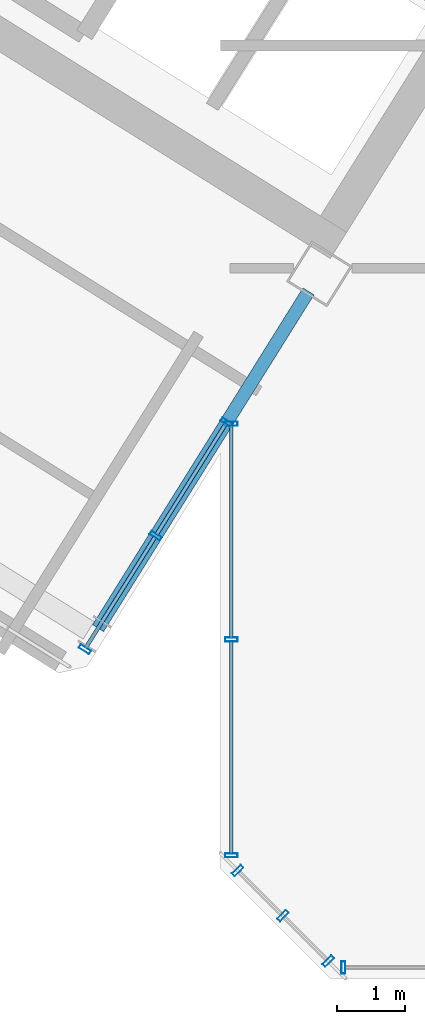
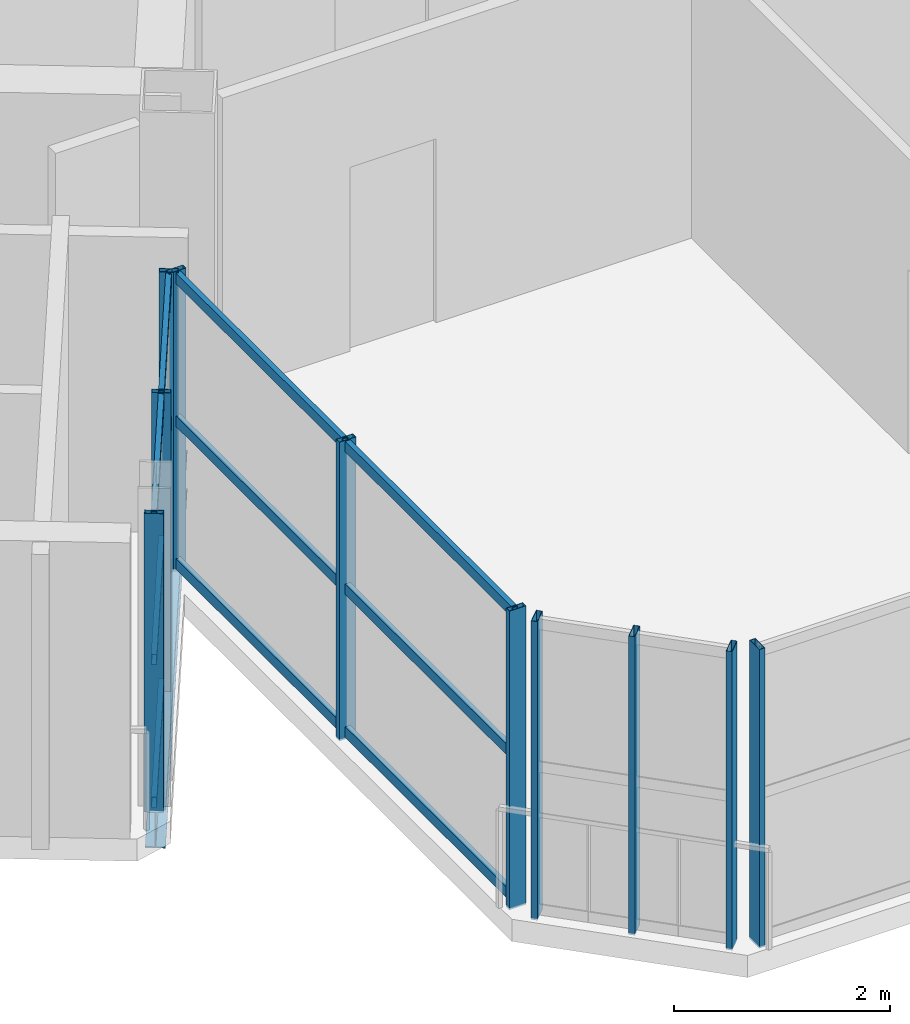
# One storey, part 3 of 17: 22 members, 1 beam, 4 elements without a shape of their own.
"""IFC4 building model written with IfcOpenShell, lengths in metres."""

import ifcopenshell
import ifcopenshell.guid

model = None  # the IFC model being written
_history = None  # IfcOwnerHistory: only IFC2X3 demands one
_inside = {}  # id of a spatial element -> (the spatial element, [elements in it])
_under = {}  # id of a project, library or spatial element -> (it, [spatial elements below it])
_declared = {}  # id of a project -> (the project, [libraries it declares])
_typed = {}  # id of a type object -> (the type object, [elements of that type])
_made_of = {}  # id of a material, layer set ... -> (it, [elements and type objects made of it])


def new_model(schema):
    """Start an empty IFC model of exactly this schema.

    Asked for "IFC4X3", IfcOpenShell would pick the latest addendum, in which some entities
    have other attributes; the version numbers below select the first issue.
    IFC2X3 requires an IfcOwnerHistory on every rooted entity: one is made here for all.
    """
    global model, _history
    if schema == "IFC4X3":
        model = ifcopenshell.file(schema_version=(4, 3, 0, 0))
    else:
        model = ifcopenshell.file(schema=schema)
    _inside.clear()
    _under.clear()
    _declared.clear()
    _typed.clear()
    _made_of.clear()
    _history = None
    if model.schema == "IFC2X3":
        org = make("IfcOrganization", Name="unknown")
        user = make(
            "IfcPersonAndOrganization",
            ThePerson=make("IfcPerson", FamilyName="unknown"),
            TheOrganization=org,
        )
        app = make(
            "IfcApplication",
            ApplicationDeveloper=org,
            Version="unknown",
            ApplicationFullName="unknown",
            ApplicationIdentifier="unknown",
        )
        _history = make(
            "IfcOwnerHistory",
            OwningUser=user,
            OwningApplication=app,
            ChangeAction="ADDED",
            CreationDate=0,
        )
    return model


def make(cls, **values):
    """One entity of the class cls with the attributes given. An attribute that is None is left unset."""
    return model.create_entity(
        cls, **{name: value for name, value in values.items() if value is not None}
    )


def rooted(cls, **values):
    """An entity with a GlobalId (a new one), such as an element, a storey or a relation."""
    return make(cls, GlobalId=ifcopenshell.guid.new(), OwnerHistory=_history, **values)


def si_unit(unit_type, name, prefix=None):
    """IfcSIUnit, for example si_unit("LENGTHUNIT", "METRE", prefix="MILLI")."""
    return make("IfcSIUnit", UnitType=unit_type, Prefix=prefix, Name=name)


def assignment(units):
    """IfcUnitAssignment: the units of a project."""
    return None if units is None else make("IfcUnitAssignment", Units=units)


def point(xyz):
    """IfcCartesianPoint."""
    return None if xyz is None else make("IfcCartesianPoint", Coordinates=xyz)


def direction(xyz):
    """IfcDirection."""
    return None if xyz is None else make("IfcDirection", DirectionRatios=xyz)


def frame(location, z_axis=None, x_axis=None):
    """IfcAxis2Placement3D, a coordinate frame: its origin and axes. An axis left out is left unset."""
    return make(
        "IfcAxis2Placement3D",
        Location=point(location),
        Axis=direction(z_axis),
        RefDirection=direction(x_axis),
    )


def frame_2d(location, x_axis=None):
    """IfcAxis2Placement2D, a coordinate frame in the plane: its origin and x axis."""
    return make(
        "IfcAxis2Placement2D", Location=point(location), RefDirection=direction(x_axis)
    )


def origin():
    """The frame at (0, 0, 0) with its axes left unset."""
    return frame((0.0, 0.0, 0.0))


def origin_2d():
    """The frame at (0, 0) in the plane with its x axis left unset."""
    return frame_2d((0.0, 0.0))


def place(relative_to, where):
    """IfcLocalPlacement: puts the frame where relative to a parent placement (None: the world)."""
    return make(
        "IfcLocalPlacement", PlacementRelTo=relative_to, RelativePlacement=where
    )


def context(
    kind, dimensions, precision=None, world=None, true_north=None, identifier=None
):
    """IfcGeometricRepresentationContext, for example the 3D "Model" context."""
    return make(
        "IfcGeometricRepresentationContext",
        ContextIdentifier=identifier,
        ContextType=kind,
        CoordinateSpaceDimension=dimensions,
        Precision=precision,
        WorldCoordinateSystem=world,
        TrueNorth=true_north,
    )


def subcontext(parent, identifier, kind, view, scale=None):
    """IfcGeometricRepresentationSubContext, for example "Body" below "Model"."""
    return make(
        "IfcGeometricRepresentationSubContext",
        ContextIdentifier=identifier,
        ContextType=kind,
        ParentContext=parent,
        TargetScale=scale,
        TargetView=view,
    )


def project(units=None, contexts=None):
    """IfcProject with its units and contexts."""
    return rooted(
        "IfcProject",
        Name="project",
        RepresentationContexts=contexts,
        UnitsInContext=assignment(units),
    )


def spatial(cls, under=None, at=None, **own):
    """A site, building, storey or space (cls), placed at a placement, below another one or the project."""
    s = rooted(cls, ObjectPlacement=at, **own)
    if under is not None:
        _under.setdefault(under.id(), (under, []))[1].append(s)
    return s


def profile(cls, at=None, kind="AREA", **sizes):
    """A parametric profile (cls). Its sizes go by their IFC names, for example OverallWidth=200.0."""
    return make(cls, ProfileType=kind, Position=at, **sizes)


def hollow_rectangle(**sizes):
    """IfcRectangleHollowProfileDef."""
    return profile("IfcRectangleHollowProfileDef", **sizes)


def i_section(**sizes):
    """IfcIShapeProfileDef."""
    return profile("IfcIShapeProfileDef", **sizes)


def extrude(swept, where, along, depth):
    """IfcExtrudedAreaSolid: the profile swept, set in the frame where, extruded along a direction by depth."""
    return make(
        "IfcExtrudedAreaSolid",
        SweptArea=swept,
        Position=where,
        ExtrudedDirection=direction(along),
        Depth=depth,
    )


def shape(context_of_items, identifier, shape_type, items):
    """IfcShapeRepresentation: the items that make up one representation, for example the "Body"."""
    return make(
        "IfcShapeRepresentation",
        ContextOfItems=context_of_items,
        RepresentationIdentifier=identifier,
        RepresentationType=shape_type,
        Items=items,
    )


def source(mapping_origin, context_of_items, identifier, shape_type, items):
    """IfcRepresentationMap: a shape defined once, which mapped items show again and again."""
    return make(
        "IfcRepresentationMap",
        MappingOrigin=mapping_origin,
        MappedRepresentation=shape(context_of_items, identifier, shape_type, items),
    )


def transform(
    local_origin,
    x_axis=None,
    y_axis=None,
    z_axis=None,
    scale=None,
    scale2=None,
    scale3=None,
    uniform=True,
):
    """IfcCartesianTransformationOperator3D, or its non-uniform kind. x_axis, y_axis, z_axis: its Axis1, 2, 3."""
    if uniform:
        return make(
            "IfcCartesianTransformationOperator3D",
            Axis1=direction(x_axis),
            Axis2=direction(y_axis),
            LocalOrigin=point(local_origin),
            Scale=scale,
            Axis3=direction(z_axis),
        )
    return make(
        "IfcCartesianTransformationOperator3DnonUniform",
        Axis1=direction(x_axis),
        Axis2=direction(y_axis),
        LocalOrigin=point(local_origin),
        Scale=scale,
        Axis3=direction(z_axis),
        Scale2=scale2,
        Scale3=scale3,
    )


def mapped(mapping_source, mapping_target):
    """IfcMappedItem: shows the shape of a source again, moved by a transform."""
    return make(
        "IfcMappedItem", MappingSource=mapping_source, MappingTarget=mapping_target
    )


def material(Name=None, Category=None):
    """IfcMaterial."""
    return make("IfcMaterial", Name=Name, Category=Category)


def material_profile(
    of_material, cross_section, Name=None, Category=None, Priority=None
):
    """IfcMaterialProfile: a cross section and its material."""
    return make(
        "IfcMaterialProfile",
        Name=Name,
        Material=of_material,
        Profile=cross_section,
        Priority=Priority,
        Category=Category,
    )


def profile_set(profiles, Name=None, composite=None):
    """IfcMaterialProfileSet."""
    return make(
        "IfcMaterialProfileSet",
        Name=Name,
        MaterialProfiles=profiles,
        CompositeProfile=composite,
    )


def made_of(thing, what):
    """Note that an element or type object is made of a material, layer set ...; save() writes the relation."""
    if what is not None:
        _made_of.setdefault(what.id(), (what, []))[1].append(thing)
    return thing


def type_object(cls, material=None, **own):
    """A type object (cls), such as IfcWallType, which elements share."""
    return made_of(rooted(cls, **own), material)


def element(
    cls,
    number,
    at=None,
    inside=None,
    cuts=None,
    type_object=None,
    material=None,
    context=None,
    identifier="Body",
    shape_type=None,
    held_by="IfcProductDefinitionShape",
    body=None,
    shapes=None,
    **own,
):
    """One element of the class cls, such as IfcWall. Its Tag is "e" and its number.

    at: its placement. inside: the storey or other place that contains it. cuts: it is an
    opening in that element (IfcRelVoidsElement). A single representation is given by context,
    identifier, shape_type and body (its items); several are given by shapes. held_by: the class
    of the entity that holds the representations. save() writes the other relations.
    """
    e = rooted(cls, Tag="e%d" % number, ObjectPlacement=at, **own)
    if body is not None:
        shapes = [shape(context, identifier, shape_type, body)]
    if shapes is not None:
        e.Representation = make(held_by, Representations=shapes)
    if inside is not None:
        _inside.setdefault(inside.id(), (inside, []))[1].append(e)
    if cuts is not None:
        rooted(
            "IfcRelVoidsElement", RelatingBuildingElement=cuts, RelatedOpeningElement=e
        )
    if type_object is not None:
        _typed.setdefault(type_object.id(), (type_object, []))[1].append(e)
    return made_of(e, material)


def aggregate(whole, parts):
    """IfcRelAggregates: a whole, such as a stair, and the parts it consists of."""
    return rooted("IfcRelAggregates", RelatingObject=whole, RelatedObjects=parts)


def save(model, path):
    """Write the relations noted so far, then the file.

    IfcRelAggregates (storeys below a building ...), IfcRelContainedInSpatialStructure (elements
    in a storey), IfcRelDefinesByType, IfcRelAssociatesMaterial and IfcRelDeclares: one each for
    every whole, place, type object, material and project.
    """
    for whole, parts in _under.values():
        aggregate(whole, parts)
    for where, things in _inside.values():
        rooted(
            "IfcRelContainedInSpatialStructure",
            RelatedElements=things,
            RelatingStructure=where,
        )
    for kind, things in _typed.values():
        rooted("IfcRelDefinesByType", RelatedObjects=things, RelatingType=kind)
    for what, things in _made_of.values():
        rooted("IfcRelAssociatesMaterial", RelatedObjects=things, RelatingMaterial=what)
    for by, libraries in _declared.values():
        rooted("IfcRelDeclares", RelatingContext=by, RelatedDefinitions=libraries)
    model.write(path)


model = new_model("IFC4")

# Units and contexts
model_context = context("Model", 3, precision=1e-05, world=origin(), true_north=direction((0.0, 1.0)))
body_context = subcontext(model_context, "Body", "Model", "MODEL_VIEW")
ifc_project = project(units=[si_unit("LENGTHUNIT", "METRE"), si_unit("AREAUNIT", "SQUARE_METRE"), si_unit("VOLUMEUNIT", "CUBIC_METRE"), si_unit("PLANEANGLEUNIT", "RADIAN"), si_unit("MASSUNIT", "GRAM", prefix="KILO")], contexts=[model_context])

# Site, building, storey
site_placement = place(None, origin())
site = spatial("IfcSite", under=ifc_project, at=site_placement, CompositionType="ELEMENT")
building_placement = place(site_placement, origin())
building = spatial("IfcBuilding", under=site, at=building_placement, Name="Tlacorven Tower", CompositionType="ELEMENT")
storey_placement = place(building_placement, frame((0.0, 0.0, 270.0)))
storey = spatial("IfcBuildingStorey", under=building, at=storey_placement, Name="L68", CompositionType="ELEMENT", Elevation=270.0)

# Beam
ifc_material_1 = material(Name="Steel S355J2", Category="steel")
ifc_material_profile_1 = material_profile(ifc_material_1, i_section(OverallWidth=0.18994140625, OverallDepth=0.449951171875, WebThickness=0.009521484375, FlangeThickness=0.0146484375, at=origin_2d()), Name="IPE 450")
ifc_profile_set_1 = profile_set([ifc_material_profile_1], Name="Steel S355J2")
beam_type = type_object("IfcBeamType", Name="BM-TWR-450", PredefinedType="BEAM", material=ifc_profile_set_1)
shared_shape_1 = source(origin(), body_context, "Body", "SweptSolid", [
    extrude(i_section(OverallWidth=0.18994140625, OverallDepth=0.449951171875, WebThickness=0.009521484375, FlangeThickness=0.0146484375, at=origin_2d()), origin(), (0.0, 0.0, 1.0), 5.800048828125),
])
beam_placement = place(storey_placement, frame((32.88720703125, 11.83251953125, -0.47509765625), z_axis=(-0.529911912967, -0.848052689693, 0.0), x_axis=(0.848052689693, -0.529911912967, 0.0)))
element("IfcBeam", 1, at=beam_placement, inside=storey, type_object=beam_type, Name="L68 beam BM-L68-WT1-2", PredefinedType="BEAM", context=body_context, shape_type="MappedRepresentation", body=[
    mapped(shared_shape_1, transform((0.0, 0.0, 0.0), scale=1.0)),
])

# Curtain wall, member
ifc_material_2 = material(Name="Dark solar low-E double glazing in aluminium frame", Category="aluminium")
curtain_wall_type = type_object("IfcCurtainWallType", Name="CW-TWR-HIGH", PredefinedType="USERDEFINED", material=ifc_material_2)
curtain_wall_1_placement = place(storey_placement, origin())
curtain_wall_1 = element("IfcCurtainWall", 2, at=curtain_wall_1_placement, inside=storey, type_object=curtain_wall_type, Name="L68 CW-TWR-HIGH Curtain Wall 314", ObjectType="UNITISED CURTAIN WALL", PredefinedType="USERDEFINED")
ifc_material_3 = material(Name="Aluminium 6063-T6 anodised", Category="aluminium")
ifc_material_profile_2 = material_profile(ifc_material_3, hollow_rectangle(XDim=0.06005859375, YDim=0.179931640625, WallThickness=0.00390625, at=origin_2d()), Name="ALU MULLION 60X180")
ifc_profile_set_2 = profile_set([ifc_material_profile_2], Name="Aluminium 6063-T6 anodised")
member_type_1 = type_object("IfcMemberType", Name="CWM-03", PredefinedType="MULLION", material=ifc_profile_set_2)
shared_shape_2 = source(origin(), body_context, "Body", "SweptSolid", [
    extrude(hollow_rectangle(XDim=0.06005859375, YDim=0.179931640625, WallThickness=0.00390625, at=origin_2d()), origin(), (0.0, 0.0, 1.0), 3.380126953125),
])
member_1_placement = place(storey_placement, frame((33.396240234375, 1.9599609375, -0.02001953125), z_axis=(0.0, 0.0, 1.0), x_axis=(-1.0, 0.0, 0.0)))
member_1 = element("IfcMember", 3, at=member_1_placement, type_object=member_type_1, Name="CW-L68-314 Mullion 4", PredefinedType="MULLION", context=body_context, shape_type="MappedRepresentation", body=[
    mapped(shared_shape_2, transform((0.0, 0.0, 0.0), scale=1.0)),
])
aggregate(curtain_wall_1, [member_1])

# Curtain wall, members
curtain_wall_2_placement = place(storey_placement, origin())
curtain_wall_2 = element("IfcCurtainWall", 4, at=curtain_wall_2_placement, inside=storey, type_object=curtain_wall_type, Name="L68 CW-TWR-HIGH Curtain Wall 315", ObjectType="UNITISED CURTAIN WALL", PredefinedType="USERDEFINED")
member_2_placement = place(storey_placement, frame((33.17431640625, 2.052001953125, -0.02001953125), z_axis=(0.0, 0.0, 1.0), x_axis=(-0.707106781187, 0.707106781187, 0.0)))
member_2 = element("IfcMember", 5, at=member_2_placement, type_object=member_type_1, Name="CW-L68-315 Mullion 1", PredefinedType="MULLION", context=body_context, shape_type="MappedRepresentation", body=[
    mapped(shared_shape_2, transform((0.0, 0.0, 0.0), scale=1.0)),
])
member_3_placement = place(storey_placement, frame((32.51318359375, 2.713134765625, -0.02001953125), z_axis=(0.0, 0.0, 1.0), x_axis=(-0.707106781187, 0.707106781187, 0.0)))
member_3 = element("IfcMember", 6, at=member_3_placement, type_object=member_type_1, Name="CW-L68-315 Mullion 2", PredefinedType="MULLION", context=body_context, shape_type="MappedRepresentation", body=[
    mapped(shared_shape_2, transform((0.0, 0.0, 0.0), scale=1.0)),
])
member_4_placement = place(storey_placement, frame((31.851806640625, 3.374267578125, -0.02001953125), z_axis=(0.0, 0.0, 1.0), x_axis=(-0.707106781187, 0.707106781187, 0.0)))
member_4 = element("IfcMember", 7, at=member_4_placement, type_object=member_type_1, Name="CW-L68-315 Mullion 3", PredefinedType="MULLION", context=body_context, shape_type="MappedRepresentation", body=[
    mapped(shared_shape_2, transform((0.0, 0.0, 0.0), scale=1.0)),
])
aggregate(curtain_wall_2, [member_2, member_3, member_4])

curtain_wall_3_placement = place(storey_placement, origin())
curtain_wall_3 = element("IfcCurtainWall", 8, at=curtain_wall_3_placement, inside=storey, type_object=curtain_wall_type, Name="L68 CW-TWR-HIGH Curtain Wall 316", ObjectType="UNITISED CURTAIN WALL", PredefinedType="USERDEFINED")
member_5_placement = place(storey_placement, frame((31.760009765625, 3.59619140625, -0.02001953125), z_axis=(0.0, 0.0, 1.0), x_axis=(0.0, 1.0, 0.0)))
member_5 = element("IfcMember", 9, at=member_5_placement, type_object=member_type_1, Name="CW-L68-316 Mullion 1", PredefinedType="MULLION", context=body_context, shape_type="MappedRepresentation", body=[
    mapped(shared_shape_2, transform((0.0, 0.0, 0.0), scale=1.0)),
])
member_6_placement = place(storey_placement, frame((31.760009765625, 6.74755859375, -0.02001953125), z_axis=(0.0, 0.0, 1.0), x_axis=(0.0, 1.0, 0.0)))
member_6 = element("IfcMember", 10, at=member_6_placement, type_object=member_type_1, Name="CW-L68-316 Mullion 2", PredefinedType="MULLION", context=body_context, shape_type="MappedRepresentation", body=[
    mapped(shared_shape_2, transform((0.0, 0.0, 0.0), scale=1.0)),
])
member_7_placement = place(storey_placement, frame((31.760009765625, 9.898681640625, -0.02001953125), z_axis=(0.0, 0.0, 1.0), x_axis=(0.0, 1.0, 0.0)))
member_7 = element("IfcMember", 11, at=member_7_placement, type_object=member_type_1, Name="CW-L68-316 Mullion 3", PredefinedType="MULLION", context=body_context, shape_type="MappedRepresentation", body=[
    mapped(shared_shape_2, transform((0.0, 0.0, 0.0), scale=1.0)),
])

curtain_wall_4_placement = place(storey_placement, origin())
curtain_wall_4 = element("IfcCurtainWall", 12, at=curtain_wall_4_placement, inside=storey, type_object=curtain_wall_type, Name="L68 CW-TWR-HIGH Curtain Wall 317", ObjectType="UNITISED CURTAIN WALL", PredefinedType="USERDEFINED")
member_8_placement = place(storey_placement, frame((31.691162109375, 9.91845703125, -0.02001953125), z_axis=(0.0, 0.0, 1.0), x_axis=(-0.529918710919, -0.848048441905, 0.0)))
member_8 = element("IfcMember", 13, at=member_8_placement, type_object=member_type_1, Name="CW-L68-317 Mullion 1", PredefinedType="MULLION", context=body_context, shape_type="MappedRepresentation", body=[
    mapped(shared_shape_2, transform((0.0, 0.0, 0.0), scale=1.0)),
])
member_9_placement = place(storey_placement, frame((30.656005859375, 8.261962890625, -0.02001953125), z_axis=(0.0, 0.0, 1.0), x_axis=(-0.529918710919, -0.848048441905, 0.0)))
member_9 = element("IfcMember", 14, at=member_9_placement, type_object=member_type_1, Name="CW-L68-317 Mullion 2", PredefinedType="MULLION", context=body_context, shape_type="MappedRepresentation", body=[
    mapped(shared_shape_2, transform((0.0, 0.0, 0.0), scale=1.0)),
])
member_10_placement = place(storey_placement, frame((29.620849609375, 6.605224609375, -0.02001953125), z_axis=(0.0, 0.0, 1.0), x_axis=(-0.529918710919, -0.848048441905, 0.0)))
member_10 = element("IfcMember", 15, at=member_10_placement, type_object=member_type_1, Name="CW-L68-317 Mullion 3", PredefinedType="MULLION", context=body_context, shape_type="MappedRepresentation", body=[
    mapped(shared_shape_2, transform((0.0, 0.0, 0.0), scale=1.0)),
])

# Member
ifc_material_profile_3 = material_profile(ifc_material_3, hollow_rectangle(XDim=0.054931640625, YDim=0.1201171875, WallThickness=0.00341796875, at=origin_2d()), Name="ALU TRANSOM 55X120")
ifc_profile_set_3 = profile_set([ifc_material_profile_3], Name="Aluminium 6063-T6 anodised")
member_type_2 = type_object("IfcMemberType", Name="CWT-03", PredefinedType="USERDEFINED", material=ifc_profile_set_3)
shared_shape_3 = source(origin(), body_context, "Body", "SweptSolid", [
    extrude(hollow_rectangle(XDim=0.054931640625, YDim=0.1201171875, WallThickness=0.00341796875, at=origin_2d()), origin(), (0.0, 0.0, 1.0), 3.115234375),
])
member_11_placement = place(storey_placement, frame((31.760009765625, 3.6142578125, 0.06005859375), z_axis=(0.0, 1.0, 0.0), x_axis=(-1.0, 0.0, 0.0)))
member_11 = element("IfcMember", 16, at=member_11_placement, type_object=member_type_2, Name="CW-L68-316 Transom 1", ObjectType="TRANSOM", PredefinedType="USERDEFINED", context=body_context, shape_type="MappedRepresentation", body=[
    mapped(shared_shape_3, transform((0.0, 0.0, 0.0), scale=1.0)),
])

member_12_placement = place(storey_placement, frame((31.760009765625, 3.6142578125, 1.675048828125), z_axis=(0.0, 1.0, 0.0), x_axis=(-1.0, 0.0, 0.0)))
member_12 = element("IfcMember", 17, at=member_12_placement, type_object=member_type_2, Name="CW-L68-316 Transom 2", ObjectType="TRANSOM", PredefinedType="USERDEFINED", context=body_context, shape_type="MappedRepresentation", body=[
    mapped(shared_shape_3, transform((0.0, 0.0, 0.0), scale=1.0)),
])

member_13_placement = place(storey_placement, frame((31.760009765625, 3.6142578125, 3.2900390625), z_axis=(0.0, 1.0, 0.0), x_axis=(-1.0, 0.0, 0.0)))
member_13 = element("IfcMember", 18, at=member_13_placement, type_object=member_type_2, Name="CW-L68-316 Transom 3", ObjectType="TRANSOM", PredefinedType="USERDEFINED", context=body_context, shape_type="MappedRepresentation", body=[
    mapped(shared_shape_3, transform((0.0, 0.0, 0.0), scale=1.0)),
])

member_14_placement = place(storey_placement, frame((31.760009765625, 6.765380859375, 0.06005859375), z_axis=(0.0, 1.0, 0.0), x_axis=(-1.0, 0.0, 0.0)))
member_14 = element("IfcMember", 19, at=member_14_placement, type_object=member_type_2, Name="CW-L68-316 Transom 4", ObjectType="TRANSOM", PredefinedType="USERDEFINED", context=body_context, shape_type="MappedRepresentation", body=[
    mapped(shared_shape_3, transform((0.0, 0.0, 0.0), scale=1.0)),
])

member_15_placement = place(storey_placement, frame((31.760009765625, 6.765380859375, 1.675048828125), z_axis=(0.0, 1.0, 0.0), x_axis=(-1.0, 0.0, 0.0)))
member_15 = element("IfcMember", 20, at=member_15_placement, type_object=member_type_2, Name="CW-L68-316 Transom 5", ObjectType="TRANSOM", PredefinedType="USERDEFINED", context=body_context, shape_type="MappedRepresentation", body=[
    mapped(shared_shape_3, transform((0.0, 0.0, 0.0), scale=1.0)),
])

member_16_placement = place(storey_placement, frame((31.760009765625, 6.765380859375, 3.2900390625), z_axis=(0.0, 1.0, 0.0), x_axis=(-1.0, 0.0, 0.0)))
member_16 = element("IfcMember", 21, at=member_16_placement, type_object=member_type_2, Name="CW-L68-316 Transom 6", ObjectType="TRANSOM", PredefinedType="USERDEFINED", context=body_context, shape_type="MappedRepresentation", body=[
    mapped(shared_shape_3, transform((0.0, 0.0, 0.0), scale=1.0)),
])

aggregate(curtain_wall_3, [member_5, member_6, member_7, member_11, member_12, member_13, member_14, member_15, member_16])

shared_shape_4 = source(origin(), body_context, "Body", "SweptSolid", [
    extrude(hollow_rectangle(XDim=0.054931640625, YDim=0.1201171875, WallThickness=0.00341796875, at=origin_2d()), origin(), (0.0, 0.0, 1.0), 1.91748046875),
])
member_17_placement = place(storey_placement, frame((31.681640625, 9.903076171875, 0.06005859375), z_axis=(-0.529953157166, -0.84802691656, 0.0), x_axis=(0.84802691656, -0.529953157166, 0.0)))
member_17 = element("IfcMember", 22, at=member_17_placement, type_object=member_type_2, Name="CW-L68-317 Transom 1", ObjectType="TRANSOM", PredefinedType="USERDEFINED", context=body_context, shape_type="MappedRepresentation", body=[
    mapped(shared_shape_4, transform((0.0, 0.0, 0.0), scale=1.0)),
])

member_18_placement = place(storey_placement, frame((31.681640625, 9.903076171875, 1.675048828125), z_axis=(-0.529953157166, -0.84802691656, 0.0), x_axis=(0.84802691656, -0.529953157166, 0.0)))
member_18 = element("IfcMember", 23, at=member_18_placement, type_object=member_type_2, Name="CW-L68-317 Transom 2", ObjectType="TRANSOM", PredefinedType="USERDEFINED", context=body_context, shape_type="MappedRepresentation", body=[
    mapped(shared_shape_4, transform((0.0, 0.0, 0.0), scale=1.0)),
])

member_19_placement = place(storey_placement, frame((31.681640625, 9.903076171875, 3.2900390625), z_axis=(-0.529953157166, -0.84802691656, 0.0), x_axis=(0.84802691656, -0.529953157166, 0.0)))
member_19 = element("IfcMember", 24, at=member_19_placement, type_object=member_type_2, Name="CW-L68-317 Transom 3", ObjectType="TRANSOM", PredefinedType="USERDEFINED", context=body_context, shape_type="MappedRepresentation", body=[
    mapped(shared_shape_4, transform((0.0, 0.0, 0.0), scale=1.0)),
])

member_20_placement = place(storey_placement, frame((30.646484375, 8.24658203125, 0.06005859375), z_axis=(-0.529953157166, -0.84802691656, 0.0), x_axis=(0.84802691656, -0.529953157166, 0.0)))
member_20 = element("IfcMember", 25, at=member_20_placement, type_object=member_type_2, Name="CW-L68-317 Transom 4", ObjectType="TRANSOM", PredefinedType="USERDEFINED", context=body_context, shape_type="MappedRepresentation", body=[
    mapped(shared_shape_4, transform((0.0, 0.0, 0.0), scale=1.0)),
])

member_21_placement = place(storey_placement, frame((30.646484375, 8.24658203125, 1.675048828125), z_axis=(-0.529953157166, -0.84802691656, 0.0), x_axis=(0.84802691656, -0.529953157166, 0.0)))
member_21 = element("IfcMember", 26, at=member_21_placement, type_object=member_type_2, Name="CW-L68-317 Transom 5", ObjectType="TRANSOM", PredefinedType="USERDEFINED", context=body_context, shape_type="MappedRepresentation", body=[
    mapped(shared_shape_4, transform((0.0, 0.0, 0.0), scale=1.0)),
])

member_22_placement = place(storey_placement, frame((30.646484375, 8.24658203125, 3.2900390625), z_axis=(-0.529953157166, -0.84802691656, 0.0), x_axis=(0.84802691656, -0.529953157166, 0.0)))
member_22 = element("IfcMember", 27, at=member_22_placement, type_object=member_type_2, Name="CW-L68-317 Transom 6", ObjectType="TRANSOM", PredefinedType="USERDEFINED", context=body_context, shape_type="MappedRepresentation", body=[
    mapped(shared_shape_4, transform((0.0, 0.0, 0.0), scale=1.0)),
])

aggregate(curtain_wall_4, [member_8, member_9, member_10, member_17, member_18, member_19, member_20, member_21, member_22])

save(model, "model.ifc")
